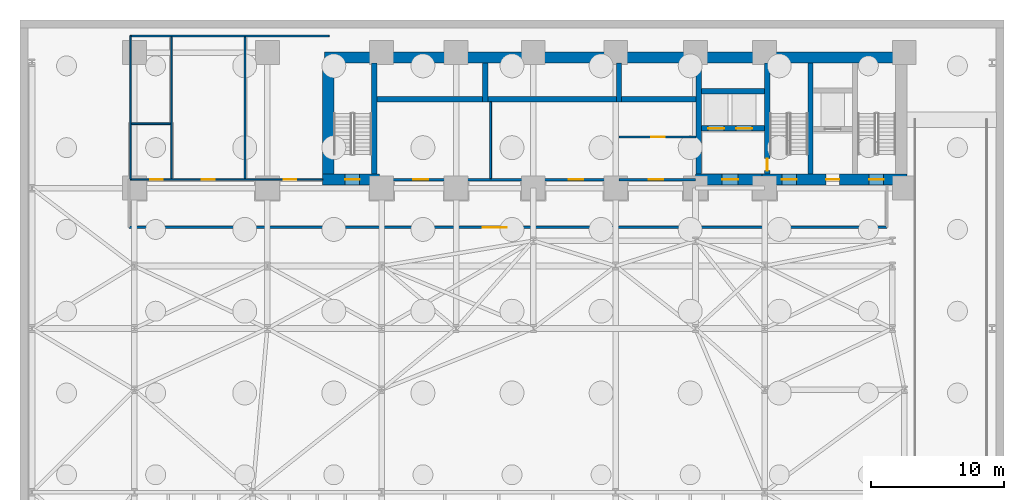
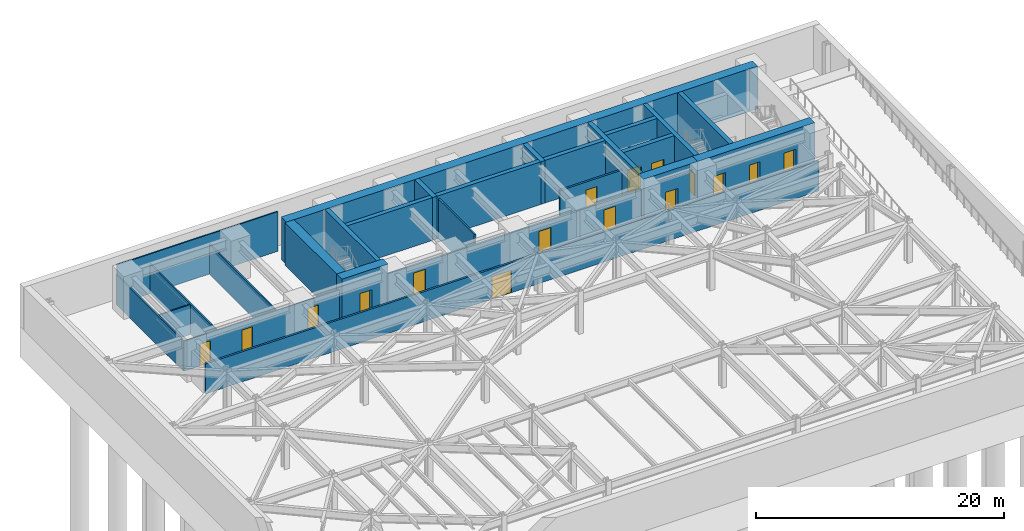
# One storey, part 5 of 12: 27 walls, 16 doors, 16 openings.
"""IFC4 building model written with IfcOpenShell, lengths in metres."""

from ifc_helpers import new_model, si_unit, direction, frame, frame_2d, origin, place, context, subcontext, project, spatial, rectangle, extrude, material, layer, layer_set, type_object, element, fill, save


model = new_model("IFC4")

# Units and contexts
model_context = context("Model", 3, precision=1e-05, world=origin(), true_north=direction((0.0, 1.0)))
body_context = subcontext(model_context, "Body", "Model", "MODEL_VIEW")
ifc_project = project(units=[si_unit("LENGTHUNIT", "METRE"), si_unit("AREAUNIT", "SQUARE_METRE"), si_unit("VOLUMEUNIT", "CUBIC_METRE"), si_unit("PLANEANGLEUNIT", "RADIAN"), si_unit("MASSUNIT", "GRAM", prefix="KILO")], contexts=[model_context])

# Site, building, storey
site_placement = place(None, origin())
site = spatial("IfcSite", under=ifc_project, at=site_placement, CompositionType="ELEMENT")
building_placement = place(site_placement, origin())
building = spatial("IfcBuilding", under=site, at=building_placement, Name="Kravanh Interchange Tower", CompositionType="ELEMENT")
storey_placement = place(building_placement, frame((0.0, 0.0, -8.39990234375)))
storey = spatial("IfcBuildingStorey", under=building, at=storey_placement, Name="B2", CompositionType="ELEMENT", Elevation=-8.39990234375)

# Wall, openings, doors
ifc_material_1 = material(Name="Double Acoustic Gypsum Board and Mineral Wool")
ifc_layer_1 = layer(ifc_material_1, 0.1201171875)
ifc_layer_set_1 = layer_set([ifc_layer_1], Name="Acoustic Office Drywall Partition 120mm")
wall_type_1 = type_object("IfcWallType", Name="Acoustic Office Drywall Partition 120mm", PredefinedType="PARTITIONING", material=ifc_layer_set_1)
wall_1_placement = place(storey_placement, frame((8.300048828125, 38.0, 0.0), z_axis=(0.0, 0.0, 1.0), x_axis=(1.0, 0.0, 0.0)))
wall_1 = element("IfcWall", 1, at=wall_1_placement, inside=storey, type_object=wall_type_1, Name="B2 Restroom Corridor Wall 8", PredefinedType="PARTITIONING", context=body_context, shape_type="SweptSolid", body=[
    extrude(rectangle(XDim=14.449951171875, YDim=0.1201171875, at=frame_2d((7.22509765625, 0.0))), origin(), (0.0, 0.0, 1.0), 2.951904296875),
])
opening_1_placement = place(wall_1_placement, frame((1.481689453125, 0.0, 0.0)))
opening_1 = element("IfcOpeningElement", 2, at=opening_1_placement, cuts=wall_1, Name="Opening D-95", PredefinedType="OPENING", context=body_context, shape_type="SweptSolid", body=[
    extrude(rectangle(XDim=0.949951171875, YDim=2.14990234375, at=frame_2d((0.47509765625, 1.074951171875))), frame((0.0, 0.070068359375, 0.0), z_axis=(0.0, -1.0, 0.0), x_axis=(1.0, 0.0, 0.0)), (0.0, 0.0, 1.0), 0.14013671875),
])
opening_2_placement = place(wall_1_placement, frame((5.385009765625, 0.0, 0.0)))
opening_2 = element("IfcOpeningElement", 3, at=opening_2_placement, cuts=wall_1, Name="Opening D-95", PredefinedType="OPENING", context=body_context, shape_type="SweptSolid", body=[
    extrude(rectangle(XDim=0.949951171875, YDim=2.14990234375, at=frame_2d((0.47509765625, 1.074951171875))), frame((0.0, 0.070068359375, 0.0), z_axis=(0.0, -1.0, 0.0), x_axis=(1.0, 0.0, 0.0)), (0.0, 0.0, 1.0), 0.14013671875),
])
opening_3_placement = place(wall_1_placement, frame((11.52001953125, 0.0, 0.0)))
opening_3 = element("IfcOpeningElement", 4, at=opening_3_placement, cuts=wall_1, Name="Opening D-95", PredefinedType="OPENING", context=body_context, shape_type="SweptSolid", body=[
    extrude(rectangle(XDim=0.949951171875, YDim=2.14990234375, at=frame_2d((0.47509765625, 1.074951171875))), frame((0.0, 0.070068359375, 0.0), z_axis=(0.0, -1.0, 0.0), x_axis=(1.0, 0.0, 0.0)), (0.0, 0.0, 1.0), 0.14013671875),
])
ifc_material_2 = material(Name="Laminate Solid-Core Timber", Category="wood")
door_type_1 = type_object("IfcDoorType", Name="Accessible Restroom Door 950x2150", OperationType="NOTDEFINED", PredefinedType="DOOR", material=ifc_material_2)
door_1_placement = place(opening_1_placement, origin())
door_1 = element("IfcDoor", 5, at=door_1_placement, inside=storey, type_object=door_type_1, Name="B2 Accessible WC Door", OperationType="SINGLE_SWING_RIGHT", OverallHeight=2.14990234375, OverallWidth=0.949951171875, PredefinedType="DOOR", context=body_context, shape_type="SweptSolid", body=[
    extrude(rectangle(XDim=0.949951171875, YDim=2.14990234375, at=frame_2d((0.47509765625, 1.074951171875))), frame((0.0, 0.02490234375, 0.0), z_axis=(0.0, -1.0, 0.0), x_axis=(1.0, 0.0, 0.0)), (0.0, 0.0, 1.0), 0.050048828125),
])
fill(opening_1, door_1)
door_2_placement = place(opening_2_placement, origin())
door_2 = element("IfcDoor", 6, at=door_2_placement, inside=storey, type_object=door_type_1, Name="B2 Female WC Door", OperationType="SINGLE_SWING_LEFT", OverallHeight=2.14990234375, OverallWidth=0.949951171875, PredefinedType="DOOR", context=body_context, shape_type="SweptSolid", body=[
    extrude(rectangle(XDim=0.949951171875, YDim=2.14990234375, at=frame_2d((0.47509765625, 1.074951171875))), frame((0.0, 0.02490234375, 0.0), z_axis=(0.0, -1.0, 0.0), x_axis=(1.0, 0.0, 0.0)), (0.0, 0.0, 1.0), 0.050048828125),
])
fill(opening_2, door_2)
door_3_placement = place(opening_3_placement, origin())
door_3 = element("IfcDoor", 7, at=door_3_placement, inside=storey, type_object=door_type_1, Name="B2 Male WC Door", OperationType="SINGLE_SWING_RIGHT", OverallHeight=2.14990234375, OverallWidth=0.949951171875, PredefinedType="DOOR", context=body_context, shape_type="SweptSolid", body=[
    extrude(rectangle(XDim=0.949951171875, YDim=2.14990234375, at=frame_2d((0.47509765625, 1.074951171875))), frame((0.0, 0.02490234375, 0.0), z_axis=(0.0, -1.0, 0.0), x_axis=(1.0, 0.0, 0.0)), (0.0, 0.0, 1.0), 0.050048828125),
])
fill(opening_3, door_3)

# Walls
wall_2_placement = place(storey_placement, frame((8.300048828125, 38.0, 0.0), z_axis=(0.0, 0.0, 1.0), x_axis=(0.0, 1.0, 0.0)))
element("IfcWall", 8, at=wall_2_placement, inside=storey, type_object=wall_type_1, Name="B2 Restroom West Enclosure 9", PredefinedType="PARTITIONING", context=body_context, shape_type="SweptSolid", body=[
    extrude(rectangle(XDim=10.800048828125, YDim=0.1201171875, at=frame_2d((5.39990234375, 0.0))), origin(), (0.0, 0.0, 1.0), 2.951904296875),
])
wall_3_placement = place(storey_placement, frame((8.300048828125, 48.800048828125, 0.0), z_axis=(0.0, 0.0, 1.0), x_axis=(1.0, 0.0, 0.0)))
element("IfcWall", 9, at=wall_3_placement, inside=storey, type_object=wall_type_1, Name="B2 Restroom North Enclosure 10", PredefinedType="PARTITIONING", context=body_context, shape_type="SweptSolid", body=[
    extrude(rectangle(XDim=14.949951171875, YDim=0.1201171875, at=frame_2d((7.47509765625, 0.0))), origin(), (0.0, 0.0, 1.0), 3.89990234375),
])
for number, where, z_axis, x_axis, name in (
    (10, (11.39990234375, 38.068115234375, 0.0), (0.0, 0.0, 1.0), (0.0, 1.0, 0.0), "B2 Interior Partition 11"),
    (11, (16.919921875, 38.068115234375, 0.0), (0.0, 0.0, 1.0), (0.0, 1.0, 0.0), "B2 Interior Partition 12"),
):
    element("IfcWall", number, at=place(storey_placement, frame(where, z_axis=z_axis, x_axis=x_axis)), inside=storey, type_object=wall_type_1, Name=name, PredefinedType="PARTITIONING", context=body_context, shape_type="SweptSolid", body=[
        extrude(rectangle(XDim=10.663818359375, YDim=0.1201171875, at=frame_2d((5.33203125, 0.0))), origin(), (0.0, 0.0, 1.0), 2.951904296875),
    ])
wall_4_placement = place(storey_placement, frame((8.367919921875, 42.199951171875, 0.0), z_axis=(0.0, 0.0, 1.0), x_axis=(1.0, 0.0, 0.0)))
element("IfcWall", 12, at=wall_4_placement, inside=storey, type_object=wall_type_1, Name="B2 Interior Partition 13", PredefinedType="PARTITIONING", context=body_context, shape_type="SweptSolid", body=[
    extrude(rectangle(XDim=2.964111328125, YDim=0.1201171875, at=frame_2d((1.48193359375, 0.0))), origin(), (0.0, 0.0, 1.0), 2.951904296875),
])
ifc_material_3 = material(Name="Concrete C80/95", Category="concrete")
ifc_layer_2 = layer(ifc_material_3, 0.39990234375)
ifc_layer_set_2 = layer_set([ifc_layer_2], Name="Core Shear Wall Concrete C80/95 400mm")
wall_type_2 = type_object("IfcWallType", Name="Core Shear Wall Concrete C80/95 400mm", PredefinedType="SHEAR", material=ifc_layer_set_2)
wall_5_placement = place(storey_placement, frame((59.449951171875, 38.425048828125, 0.0), z_axis=(0.0, 0.0, 1.0), x_axis=(0.0, 1.0, 0.0)))
element("IfcWall", 13, at=wall_5_placement, inside=storey, type_object=wall_type_2, Name="B2 Stair ST2 East Shear Wall", PredefinedType="SHEAR", context=body_context, shape_type="SweptSolid", body=[
    extrude(rectangle(XDim=8.324951171875, YDim=0.39990234375, at=frame_2d((4.16259765625, 0.0))), origin(), (0.0, 0.0, 1.0), 4.199951171875),
])

# Wall, opening, door
wall_6_placement = place(storey_placement, frame((56.199951171875, 38.425048828125, 0.0), z_axis=(0.0, 0.0, 1.0), x_axis=(0.0, 1.0, 0.0)))
wall_6 = element("IfcWall", 14, at=wall_6_placement, inside=storey, type_object=wall_type_2, Name="B2 Stair ST2 West Shear Wall", PredefinedType="SHEAR", context=body_context, shape_type="SweptSolid", body=[
    extrude(rectangle(XDim=8.324951171875, YDim=0.39990234375, at=frame_2d((4.16259765625, 0.0))), origin(), (0.0, 0.0, 1.0), 4.199951171875),
])
opening_4_placement = place(wall_6_placement, frame((0.2548828125, 0.0, 0.0)))
opening_4 = element("IfcOpeningElement", 15, at=opening_4_placement, cuts=wall_6, Name="Opening D-STAIR-90", PredefinedType="OPENING", context=body_context, shape_type="SweptSolid", body=[
    extrude(rectangle(XDim=0.89990234375, YDim=2.14990234375, at=frame_2d((0.449951171875, 1.074951171875))), frame((0.0, 0.2099609375, 0.0), z_axis=(0.0, -1.0, 0.0), x_axis=(1.0, 0.0, 0.0)), (0.0, 0.0, 1.0), 0.419921875),
])
ifc_material_4 = material(Name="Structural Steel S355", Category="steel")
door_type_2 = type_object("IfcDoorType", Name="Fire-Rated Stair Lobby Door 900x2150", OperationType="NOTDEFINED", PredefinedType="DOOR", material=ifc_material_4)
door_4_placement = place(opening_4_placement, origin())
door_4 = element("IfcDoor", 16, at=door_4_placement, inside=storey, type_object=door_type_2, Name="B2 Firefighting Lobby to Stair ST2 Door", OperationType="SINGLE_SWING_LEFT", OverallHeight=2.14990234375, OverallWidth=0.89990234375, PredefinedType="DOOR", context=body_context, shape_type="SweptSolid", body=[
    extrude(rectangle(XDim=0.89990234375, YDim=2.14990234375, at=frame_2d((0.449951171875, 1.074951171875))), frame((0.0, 0.02490234375, 0.0), z_axis=(0.0, -1.0, 0.0), x_axis=(1.0, 0.0, 0.0)), (0.0, 0.0, 1.0), 0.050048828125),
])
fill(opening_4, door_4)

# Wall, openings, doors
wall_7_placement = place(storey_placement, frame((51.25, 41.85009765625, 0.0), z_axis=(0.0, 0.0, 1.0), x_axis=(1.0, 0.0, 0.0)))
wall_7 = element("IfcWall", 17, at=wall_7_placement, inside=storey, type_object=wall_type_2, Name="B2 Fire Lift Shaft South Wall", PredefinedType="SHEAR", context=body_context, shape_type="SweptSolid", body=[
    extrude(rectangle(XDim=4.75, YDim=0.39990234375, at=frame_2d((2.375, 0.0))), origin(), (0.0, 0.0, 1.0), 4.199951171875),
])
opening_5_placement = place(wall_7_placement, frame((0.5, 0.0, 0.0)))
opening_5 = element("IfcOpeningElement", 18, at=opening_5_placement, cuts=wall_7, Name="Opening LD02", PredefinedType="OPENING", context=body_context, shape_type="SweptSolid", body=[
    extrude(rectangle(XDim=1.199951171875, YDim=2.199951171875, at=frame_2d((0.60009765625, 1.10009765625))), frame((0.0, 0.2099609375, 0.0), z_axis=(0.0, -1.0, 0.0), x_axis=(1.0, 0.0, 0.0)), (0.0, 0.0, 1.0), 0.419921875),
])
opening_6_placement = place(wall_7_placement, frame((2.60009765625, 0.0, 0.0)))
opening_6 = element("IfcOpeningElement", 19, at=opening_6_placement, cuts=wall_7, Name="Opening LD02", PredefinedType="OPENING", context=body_context, shape_type="SweptSolid", body=[
    extrude(rectangle(XDim=1.199951171875, YDim=2.199951171875, at=frame_2d((0.60009765625, 1.10009765625))), frame((0.0, 0.2099609375, 0.0), z_axis=(0.0, -1.0, 0.0), x_axis=(1.0, 0.0, 0.0)), (0.0, 0.0, 1.0), 0.419921875),
])
ifc_material_5 = material(Name="Stainless Steel 316", Category="steel")
door_type_3 = type_object("IfcDoorType", Name="Fire and Service Lift Sliding Landing Door 1200x2200", OperationType="DOUBLE_DOOR_SLIDING", PredefinedType="DOOR", material=ifc_material_5)
door_5_placement = place(opening_5_placement, origin())
door_5 = element("IfcDoor", 20, at=door_5_placement, inside=storey, type_object=door_type_3, Name="B2 Lift FSAE-01 Landing Door", OperationType="DOUBLE_DOOR_SLIDING", OverallHeight=2.199951171875, OverallWidth=1.199951171875, PredefinedType="DOOR", context=body_context, shape_type="SweptSolid", body=[
    extrude(rectangle(XDim=1.199951171875, YDim=2.199951171875, at=frame_2d((0.60009765625, 1.10009765625))), frame((0.0, 0.02490234375, 0.0), z_axis=(0.0, -1.0, 0.0), x_axis=(1.0, 0.0, 0.0)), (0.0, 0.0, 1.0), 0.050048828125),
])
fill(opening_5, door_5)
door_6_placement = place(opening_6_placement, origin())
door_6 = element("IfcDoor", 21, at=door_6_placement, inside=storey, type_object=door_type_3, Name="B2 Lift FSAE-02 Landing Door", OperationType="DOUBLE_DOOR_SLIDING", OverallHeight=2.199951171875, OverallWidth=1.199951171875, PredefinedType="DOOR", context=body_context, shape_type="SweptSolid", body=[
    extrude(rectangle(XDim=1.199951171875, YDim=2.199951171875, at=frame_2d((0.60009765625, 1.10009765625))), frame((0.0, 0.02490234375, 0.0), z_axis=(0.0, -1.0, 0.0), x_axis=(1.0, 0.0, 0.0)), (0.0, 0.0, 1.0), 0.050048828125),
])
fill(opening_6, door_6)

# Walls
wall_8_placement = place(storey_placement, frame((51.25, 44.64990234375, 0.0), z_axis=(0.0, 0.0, 1.0), x_axis=(1.0, 0.0, 0.0)))
element("IfcWall", 22, at=wall_8_placement, inside=storey, type_object=wall_type_2, Name="B2 Fire Lift Shaft North Wall", PredefinedType="SHEAR", context=body_context, shape_type="SweptSolid", body=[
    extrude(rectangle(XDim=4.75, YDim=0.39990234375, at=frame_2d((2.375, 0.0))), origin(), (0.0, 0.0, 1.0), 4.199951171875),
])
wall_9_placement = place(storey_placement, frame((51.050048828125, 38.425048828125, 0.0), z_axis=(0.0, 0.0, 1.0), x_axis=(0.0, 1.0, 0.0)))
element("IfcWall", 23, at=wall_9_placement, inside=storey, type_object=wall_type_2, Name="B2 Firefighting Lobby West Wall", PredefinedType="SHEAR", context=body_context, shape_type="SweptSolid", body=[
    extrude(rectangle(XDim=8.324951171875, YDim=0.39990234375, at=frame_2d((4.16259765625, 0.0))), origin(), (0.0, 0.0, 1.0), 4.199951171875),
])
wall_10_placement = place(storey_placement, frame((45.25, 44.050048828125, 0.0), z_axis=(0.0, 0.0, 1.0), x_axis=(1.0, 0.0, 0.0)))
element("IfcWall", 24, at=wall_10_placement, inside=storey, type_object=wall_type_2, Name="B2 High-Rise Lift Shaft South Wall", PredefinedType="SHEAR", context=body_context, shape_type="SweptSolid", body=[
    extrude(rectangle(XDim=5.60009765625, YDim=0.39990234375, at=frame_2d((2.800048828125, 0.0))), origin(), (0.0, 0.0, 1.0), 4.199951171875),
])
wall_11_placement = place(storey_placement, frame((45.050048828125, 43.85009765625, 0.0), z_axis=(0.0, 0.0, 1.0), x_axis=(0.0, 1.0, 0.0)))
element("IfcWall", 25, at=wall_11_placement, inside=storey, type_object=wall_type_2, Name="B2 High-Rise Lift Shaft West Wall", PredefinedType="SHEAR", context=body_context, shape_type="SweptSolid", body=[
    extrude(rectangle(XDim=2.89990234375, YDim=0.39990234375, at=frame_2d((1.449951171875, 0.0))), origin(), (0.0, 0.0, 1.0), 4.199951171875),
])
wall_12_placement = place(storey_placement, frame((35.199951171875, 44.050048828125, 0.0), z_axis=(0.0, 0.0, 1.0), x_axis=(1.0, 0.0, 0.0)))
element("IfcWall", 26, at=wall_12_placement, inside=storey, type_object=wall_type_2, Name="B2 Mid-Rise Lift Shaft South Wall", PredefinedType="SHEAR", context=body_context, shape_type="SweptSolid", body=[
    extrude(rectangle(XDim=9.650146484375, YDim=0.39990234375, at=frame_2d((4.8251953125, 0.0))), origin(), (0.0, 0.0, 1.0), 4.199951171875),
])
wall_13_placement = place(storey_placement, frame((35.0, 43.85009765625, 0.0), z_axis=(0.0, 0.0, 1.0), x_axis=(0.0, 1.0, 0.0)))
element("IfcWall", 27, at=wall_13_placement, inside=storey, type_object=wall_type_2, Name="B2 Mid-Rise Lift Shaft West Wall", PredefinedType="SHEAR", context=body_context, shape_type="SweptSolid", body=[
    extrude(rectangle(XDim=2.89990234375, YDim=0.39990234375, at=frame_2d((1.449951171875, 0.0))), origin(), (0.0, 0.0, 1.0), 4.199951171875),
])
wall_14_placement = place(storey_placement, frame((26.85009765625, 44.050048828125, 0.0), z_axis=(0.0, 0.0, 1.0), x_axis=(1.0, 0.0, 0.0)))
element("IfcWall", 28, at=wall_14_placement, inside=storey, type_object=wall_type_2, Name="B2 Low-Rise Lift Shaft South Wall", PredefinedType="SHEAR", context=body_context, shape_type="SweptSolid", body=[
    extrude(rectangle(XDim=7.949951171875, YDim=0.39990234375, at=frame_2d((3.97509765625, 0.0))), origin(), (0.0, 0.0, 1.0), 4.199951171875),
])
wall_15_placement = place(storey_placement, frame((26.64990234375, 38.425048828125, 0.0), z_axis=(0.0, 0.0, 1.0), x_axis=(0.0, 1.0, 0.0)))
element("IfcWall", 29, at=wall_15_placement, inside=storey, type_object=wall_type_2, Name="B2 Stair ST3 East Shear Wall", PredefinedType="SHEAR", context=body_context, shape_type="SweptSolid", body=[
    extrude(rectangle(XDim=8.324951171875, YDim=0.39990234375, at=frame_2d((4.16259765625, 0.0))), origin(), (0.0, 0.0, 1.0), 4.199951171875),
])
ifc_material_6 = material(Name="Concrete C80/95", Category="concrete")
ifc_layer_3 = layer(ifc_material_6, 0.85009765625)
ifc_layer_set_3 = layer_set([ifc_layer_3], Name="Core Shear Wall Concrete C80/95 850mm")
wall_type_3 = type_object("IfcWallType", Name="Core Shear Wall Concrete C80/95 850mm", PredefinedType="SHEAR", material=ifc_layer_set_3)
wall_16_placement = place(storey_placement, frame((22.89990234375, 47.175048828125, 0.0), z_axis=(0.0, 0.0, 1.0), x_axis=(1.0, 0.0, 0.0)))
element("IfcWall", 30, at=wall_16_placement, inside=storey, type_object=wall_type_3, Name="B2 North Core Shear Wall", PredefinedType="SHEAR", context=body_context, shape_type="SweptSolid", body=[
    extrude(rectangle(XDim=43.800048828125, YDim=0.85009765625, at=frame_2d((21.89990234375, 0.0))), origin(), (0.0, 0.0, 1.0), 4.199951171875),
])

# Wall, openings, doors
wall_17_placement = place(storey_placement, frame((55.800048828125, 38.0, 0.0), z_axis=(0.0, 0.0, 1.0), x_axis=(1.0, 0.0, 0.0)))
wall_17 = element("IfcWall", 31, at=wall_17_placement, inside=storey, type_object=wall_type_3, Name="B2 East Core South Shear Wall", PredefinedType="SHEAR", context=body_context, shape_type="SweptSolid", body=[
    extrude(rectangle(XDim=10.89990234375, YDim=0.85009765625, at=frame_2d((5.449951171875, 0.0))), origin(), (0.0, 0.0, 1.0), 4.199951171875),
])
opening_7_placement = place(wall_17_placement, frame((1.5, 0.0, 0.0)))
opening_7 = element("IfcOpeningElement", 32, at=opening_7_placement, cuts=wall_17, Name="Opening D-STAIR-110", PredefinedType="OPENING", context=body_context, shape_type="SweptSolid", body=[
    extrude(rectangle(XDim=1.10009765625, YDim=2.199951171875, at=frame_2d((0.550048828125, 1.10009765625))), frame((0.0, 0.43505859375, 0.0), z_axis=(0.0, -1.0, 0.0), x_axis=(1.0, 0.0, 0.0)), (0.0, 0.0, 1.0), 0.8701171875),
])
opening_8_placement = place(wall_17_placement, frame((4.820068359375, 0.0, 0.0)))
opening_8 = element("IfcOpeningElement", 33, at=opening_8_placement, cuts=wall_17, Name="Opening D-HOTEL-100", PredefinedType="OPENING", context=body_context, shape_type="SweptSolid", body=[
    extrude(rectangle(XDim=1.0, YDim=2.14990234375, at=frame_2d((0.5, 1.074951171875))), frame((0.0, 0.43505859375, 0.0), z_axis=(0.0, -1.0, 0.0), x_axis=(1.0, 0.0, 0.0)), (0.0, 0.0, 1.0), 0.8701171875),
])
opening_9_placement = place(wall_17_placement, frame((8.050048828125, 0.0, 0.0)))
opening_9 = element("IfcOpeningElement", 34, at=opening_9_placement, cuts=wall_17, Name="Opening D-STAIR-110", PredefinedType="OPENING", context=body_context, shape_type="SweptSolid", body=[
    extrude(rectangle(XDim=1.10009765625, YDim=2.199951171875, at=frame_2d((0.550048828125, 1.10009765625))), frame((0.0, 0.43505859375, 0.0), z_axis=(0.0, -1.0, 0.0), x_axis=(1.0, 0.0, 0.0)), (0.0, 0.0, 1.0), 0.8701171875),
])
ifc_material_7 = material(Name="Structural Steel S355", Category="steel")
door_type_4 = type_object("IfcDoorType", Name="Fire-Rated Exit Stair Door 1100x2200", OperationType="NOTDEFINED", PredefinedType="DOOR", material=ifc_material_7)
door_7_placement = place(opening_7_placement, origin())
door_7 = element("IfcDoor", 35, at=door_7_placement, inside=storey, type_object=door_type_4, Name="B2 Exit Stair ST2 Door", OperationType="SINGLE_SWING_RIGHT", OverallHeight=2.199951171875, OverallWidth=1.10009765625, PredefinedType="DOOR", context=body_context, shape_type="SweptSolid", body=[
    extrude(rectangle(XDim=1.10009765625, YDim=2.199951171875, at=frame_2d((0.550048828125, 1.10009765625))), frame((0.0, 0.02490234375, 0.0), z_axis=(0.0, -1.0, 0.0), x_axis=(1.0, 0.0, 0.0)), (0.0, 0.0, 1.0), 0.050048828125),
])
fill(opening_7, door_7)
door_8_placement = place(opening_9_placement, origin())
door_8 = element("IfcDoor", 36, at=door_8_placement, inside=storey, type_object=door_type_4, Name="B2 Exit Stair ST1 Door", OperationType="SINGLE_SWING_RIGHT", OverallHeight=2.199951171875, OverallWidth=1.10009765625, PredefinedType="DOOR", context=body_context, shape_type="SweptSolid", body=[
    extrude(rectangle(XDim=1.10009765625, YDim=2.199951171875, at=frame_2d((0.550048828125, 1.10009765625))), frame((0.0, 0.02490234375, 0.0), z_axis=(0.0, -1.0, 0.0), x_axis=(1.0, 0.0, 0.0)), (0.0, 0.0, 1.0), 0.050048828125),
])
fill(opening_9, door_8)
ifc_material_8 = material(Name="Fire-Rated Solid Timber Leaf", Category="wood")
door_type_5 = type_object("IfcDoorType", Name="Fire-Rated Suite Entrance Door 1000x2150", OperationType="NOTDEFINED", PredefinedType="DOOR", material=ifc_material_8)
door_9_placement = place(opening_8_placement, origin())
door_9 = element("IfcDoor", 37, at=door_9_placement, inside=storey, type_object=door_type_5, Name="B2 Service Lift Lobby Door", OperationType="SINGLE_SWING_RIGHT", OverallHeight=2.14990234375, OverallWidth=1.0, PredefinedType="DOOR", context=body_context, shape_type="SweptSolid", body=[
    extrude(rectangle(XDim=1.0, YDim=2.14990234375, at=frame_2d((0.5, 1.074951171875))), frame((0.0, 0.02490234375, 0.0), z_axis=(0.0, -1.0, 0.0), x_axis=(1.0, 0.0, 0.0)), (0.0, 0.0, 1.0), 0.050048828125),
])
fill(opening_8, door_9)

# Wall, opening, door
wall_18_placement = place(storey_placement, frame((50.800048828125, 38.0, 0.0), z_axis=(0.0, 0.0, 1.0), x_axis=(1.0, 0.0, 0.0)))
wall_18 = element("IfcWall", 38, at=wall_18_placement, inside=storey, type_object=wall_type_3, Name="B2 Firefighting Lobby South Shear Wall", PredefinedType="SHEAR", context=body_context, shape_type="SweptSolid", body=[
    extrude(rectangle(XDim=5.0, YDim=0.85009765625, at=frame_2d((2.5, 0.0))), origin(), (0.0, 0.0, 1.0), 4.199951171875),
])
opening_10_placement = place(wall_18_placement, frame((2.0, 0.0, 0.0)))
opening_10 = element("IfcOpeningElement", 39, at=opening_10_placement, cuts=wall_18, Name="Opening D-FSAE-120", PredefinedType="OPENING", context=body_context, shape_type="SweptSolid", body=[
    extrude(rectangle(XDim=1.199951171875, YDim=2.199951171875, at=frame_2d((0.60009765625, 1.10009765625))), frame((0.0, 0.43505859375, 0.0), z_axis=(0.0, -1.0, 0.0), x_axis=(1.0, 0.0, 0.0)), (0.0, 0.0, 1.0), 0.8701171875),
])
ifc_material_9 = material(Name="Structural Steel S355", Category="steel")
door_type_6 = type_object("IfcDoorType", Name="Fire-Rated Refuge and FSAE Door 1200x2200", OperationType="NOTDEFINED", PredefinedType="DOOR", material=ifc_material_9)
door_10_placement = place(opening_10_placement, origin())
door_10 = element("IfcDoor", 40, at=door_10_placement, inside=storey, type_object=door_type_6, Name="B2 Firefighting Lobby Corridor Door", OperationType="SINGLE_SWING_RIGHT", OverallHeight=2.199951171875, OverallWidth=1.199951171875, PredefinedType="DOOR", context=body_context, shape_type="SweptSolid", body=[
    extrude(rectangle(XDim=1.199951171875, YDim=2.199951171875, at=frame_2d((0.60009765625, 1.10009765625))), frame((0.0, 0.02490234375, 0.0), z_axis=(0.0, -1.0, 0.0), x_axis=(1.0, 0.0, 0.0)), (0.0, 0.0, 1.0), 0.050048828125),
])
fill(opening_10, door_10)

wall_19_placement = place(storey_placement, frame((22.75, 38.0, 0.0), z_axis=(0.0, 0.0, 1.0), x_axis=(1.0, 0.0, 0.0)))
wall_19 = element("IfcWall", 41, at=wall_19_placement, inside=storey, type_object=wall_type_3, Name="B2 Stair ST3 South Shear Wall", PredefinedType="SHEAR", context=body_context, shape_type="SweptSolid", body=[
    extrude(rectangle(XDim=4.300048828125, YDim=0.85009765625, at=frame_2d((2.14990234375, 0.0))), origin(), (0.0, 0.0, 1.0), 4.199951171875),
])
opening_11_placement = place(wall_19_placement, frame((1.699951171875, 0.0, 0.0)))
opening_11 = element("IfcOpeningElement", 42, at=opening_11_placement, cuts=wall_19, Name="Opening D-STAIR-110", PredefinedType="OPENING", context=body_context, shape_type="SweptSolid", body=[
    extrude(rectangle(XDim=1.10009765625, YDim=2.199951171875, at=frame_2d((0.550048828125, 1.10009765625))), frame((0.0, 0.43505859375, 0.0), z_axis=(0.0, -1.0, 0.0), x_axis=(1.0, 0.0, 0.0)), (0.0, 0.0, 1.0), 0.8701171875),
])
door_11_placement = place(opening_11_placement, origin())
door_11 = element("IfcDoor", 43, at=door_11_placement, inside=storey, type_object=door_type_4, Name="B2 Exit Stair ST3 Door", OperationType="SINGLE_SWING_RIGHT", OverallHeight=2.199951171875, OverallWidth=1.10009765625, PredefinedType="DOOR", context=body_context, shape_type="SweptSolid", body=[
    extrude(rectangle(XDim=1.10009765625, YDim=2.199951171875, at=frame_2d((0.550048828125, 1.10009765625))), frame((0.0, 0.02490234375, 0.0), z_axis=(0.0, -1.0, 0.0), x_axis=(1.0, 0.0, 0.0)), (0.0, 0.0, 1.0), 0.050048828125),
])
fill(opening_11, door_11)

# Wall
wall_20_placement = place(storey_placement, frame((23.175048828125, 38.425048828125, 0.0), z_axis=(0.0, 0.0, 1.0), x_axis=(0.0, 1.0, 0.0)))
element("IfcWall", 44, at=wall_20_placement, inside=storey, type_object=wall_type_3, Name="B2 Stair ST3 West Shear Wall", PredefinedType="SHEAR", context=body_context, shape_type="SweptSolid", body=[
    extrude(rectangle(XDim=8.324951171875, YDim=0.85009765625, at=frame_2d((4.16259765625, 0.0))), origin(), (0.0, 0.0, 1.0), 4.199951171875),
])

# Wall, opening, door
ifc_material_10 = material(Name="Autoclaved Aerated Concrete C30/37 Blockwork", Category="masonry")
ifc_layer_4 = layer(ifc_material_10, 0.179931640625)
ifc_layer_set_4 = layer_set([ifc_layer_4], Name="Fire-Rated Lobby and Corridor Wall Concrete C30/37 180mm")
wall_type_4 = type_object("IfcWallType", Name="Fire-Rated Lobby and Corridor Wall Concrete C30/37 180mm", PredefinedType="STANDARD", material=ifc_layer_set_4)
wall_21_placement = place(storey_placement, frame((45.050048828125, 38.0, 0.0), z_axis=(0.0, 0.0, 1.0), x_axis=(1.0, 0.0, 0.0)))
wall_21 = element("IfcWall", 45, at=wall_21_placement, inside=storey, type_object=wall_type_4, Name="B2 Core South Enclosure 1", PredefinedType="STANDARD", context=body_context, shape_type="SweptSolid", body=[
    extrude(rectangle(XDim=5.75, YDim=0.179931640625, at=frame_2d((2.875, 0.0))), origin(), (0.0, 0.0, 1.0), 2.951904296875),
])
opening_12_placement = place(wall_21_placement, frame((2.240478515625, 0.0, 0.0)))
opening_12 = element("IfcOpeningElement", 46, at=opening_12_placement, cuts=wall_21, Name="Opening D-SHAFT-110", PredefinedType="OPENING", context=body_context, shape_type="SweptSolid", body=[
    extrude(rectangle(XDim=1.10009765625, YDim=2.199951171875, at=frame_2d((0.550048828125, 1.10009765625))), frame((0.0, 0.10009765625, 0.0), z_axis=(0.0, -1.0, 0.0), x_axis=(1.0, 0.0, 0.0)), (0.0, 0.0, 1.0), 0.199951171875),
])
ifc_material_11 = material(Name="Fire-Rated Composite Timber Leaf", Category="wood")
door_type_7 = type_object("IfcDoorType", Name="Fire-Rated Core Support Door 1100x2200", OperationType="NOTDEFINED", PredefinedType="DOOR", material=ifc_material_11)
door_12_placement = place(opening_12_placement, origin())
door_12 = element("IfcDoor", 47, at=door_12_placement, inside=storey, type_object=door_type_7, Name="B2 Core Telecom Room Door", OperationType="SINGLE_SWING_LEFT", OverallHeight=2.199951171875, OverallWidth=1.10009765625, PredefinedType="DOOR", context=body_context, shape_type="SweptSolid", body=[
    extrude(rectangle(XDim=1.10009765625, YDim=2.199951171875, at=frame_2d((0.550048828125, 1.10009765625))), frame((0.0, 0.02490234375, 0.0), z_axis=(0.0, -1.0, 0.0), x_axis=(1.0, 0.0, 0.0)), (0.0, 0.0, 1.0), 0.050048828125),
])
fill(opening_12, door_12)

wall_22_placement = place(storey_placement, frame((45.050048828125, 41.199951171875, 0.0), z_axis=(0.0, 0.0, 1.0), x_axis=(1.0, 0.0, 0.0)))
wall_22 = element("IfcWall", 48, at=wall_22_placement, inside=storey, type_object=wall_type_4, Name="B2 Interior Partition 2", PredefinedType="STANDARD", context=body_context, shape_type="SweptSolid", body=[
    extrude(rectangle(XDim=5.7919921875, YDim=0.179931640625, at=frame_2d((2.89599609375, 0.0))), origin(), (0.0, 0.0, 1.0), 2.951904296875),
])
opening_13_placement = place(wall_22_placement, frame((2.425048828125, 0.0, 0.0)))
opening_13 = element("IfcOpeningElement", 49, at=opening_13_placement, cuts=wall_22, Name="Opening D-HOTEL-100", PredefinedType="OPENING", context=body_context, shape_type="SweptSolid", body=[
    extrude(rectangle(XDim=1.0, YDim=2.14990234375, at=frame_2d((0.5, 1.074951171875))), frame((0.0, 0.10009765625, 0.0), z_axis=(0.0, -1.0, 0.0), x_axis=(1.0, 0.0, 0.0)), (0.0, 0.0, 1.0), 0.199951171875),
])
door_13_placement = place(opening_13_placement, origin())
door_13 = element("IfcDoor", 50, at=door_13_placement, inside=storey, type_object=door_type_5, Name="B2 Core Telecom Inner Door", OperationType="SINGLE_SWING_RIGHT", OverallHeight=2.14990234375, OverallWidth=1.0, PredefinedType="DOOR", context=body_context, shape_type="SweptSolid", body=[
    extrude(rectangle(XDim=1.0, YDim=2.14990234375, at=frame_2d((0.5, 1.074951171875))), frame((0.0, 0.02490234375, 0.0), z_axis=(0.0, -1.0, 0.0), x_axis=(1.0, 0.0, 0.0)), (0.0, 0.0, 1.0), 0.050048828125),
])
fill(opening_13, door_13)

# Wall, openings, doors
wall_23_placement = place(storey_placement, frame((27.050048828125, 38.0, 0.0), z_axis=(0.0, 0.0, 1.0), x_axis=(1.0, 0.0, 0.0)))
wall_23 = element("IfcWall", 51, at=wall_23_placement, inside=storey, type_object=wall_type_4, Name="B2 Basement Core South Wall 3", PredefinedType="STANDARD", context=body_context, shape_type="SweptSolid", body=[
    extrude(rectangle(XDim=18.0, YDim=0.179931640625, at=frame_2d((9.0, 0.0))), origin(), (0.0, 0.0, 1.0), 2.951904296875),
])
opening_14_placement = place(wall_23_placement, frame((2.541259765625, 0.0, 0.0)))
opening_14 = element("IfcOpeningElement", 52, at=opening_14_placement, cuts=wall_23, Name="Opening D-STAIR-110", PredefinedType="OPENING", context=body_context, shape_type="SweptSolid", body=[
    extrude(rectangle(XDim=1.10009765625, YDim=2.199951171875, at=frame_2d((0.550048828125, 1.10009765625))), frame((0.0, 0.10009765625, 0.0), z_axis=(0.0, -1.0, 0.0), x_axis=(1.0, 0.0, 0.0)), (0.0, 0.0, 1.0), 0.199951171875),
])
opening_15_placement = place(wall_23_placement, frame((14.199951171875, 0.0, 0.0)))
opening_15 = element("IfcOpeningElement", 53, at=opening_15_placement, cuts=wall_23, Name="Opening D-STAIR-110", PredefinedType="OPENING", context=body_context, shape_type="SweptSolid", body=[
    extrude(rectangle(XDim=1.10009765625, YDim=2.199951171875, at=frame_2d((0.550048828125, 1.10009765625))), frame((0.0, 0.10009765625, 0.0), z_axis=(0.0, -1.0, 0.0), x_axis=(1.0, 0.0, 0.0)), (0.0, 0.0, 1.0), 0.199951171875),
])
door_14_placement = place(opening_14_placement, origin())
door_14 = element("IfcDoor", 54, at=door_14_placement, inside=storey, type_object=door_type_4, Name="B2 Basement Fan Room Door", OperationType="SINGLE_SWING_RIGHT", OverallHeight=2.199951171875, OverallWidth=1.10009765625, PredefinedType="DOOR", context=body_context, shape_type="SweptSolid", body=[
    extrude(rectangle(XDim=1.10009765625, YDim=2.199951171875, at=frame_2d((0.550048828125, 1.10009765625))), frame((0.0, 0.02490234375, 0.0), z_axis=(0.0, -1.0, 0.0), x_axis=(1.0, 0.0, 0.0)), (0.0, 0.0, 1.0), 0.050048828125),
])
fill(opening_14, door_14)
door_15_placement = place(opening_15_placement, origin())
door_15 = element("IfcDoor", 55, at=door_15_placement, inside=storey, type_object=door_type_4, Name="B2 Basement Pump Room Door", OperationType="SINGLE_SWING_LEFT", OverallHeight=2.199951171875, OverallWidth=1.10009765625, PredefinedType="DOOR", context=body_context, shape_type="SweptSolid", body=[
    extrude(rectangle(XDim=1.10009765625, YDim=2.199951171875, at=frame_2d((0.550048828125, 1.10009765625))), frame((0.0, 0.02490234375, 0.0), z_axis=(0.0, -1.0, 0.0), x_axis=(1.0, 0.0, 0.0)), (0.0, 0.0, 1.0), 0.050048828125),
])
fill(opening_15, door_15)

# Wall, opening, door
wall_24_placement = place(storey_placement, frame((8.199951171875, 34.39990234375, 0.0), z_axis=(0.0, 0.0, 1.0), x_axis=(1.0, 0.0, 0.0)))
wall_24 = element("IfcWall", 56, at=wall_24_placement, inside=storey, type_object=wall_type_4, Name="B2 Interior Partition 5", PredefinedType="STANDARD", context=body_context, shape_type="SweptSolid", body=[
    extrude(rectangle(XDim=57.0, YDim=0.179931640625, at=frame_2d((28.5, 0.0))), origin(), (0.0, 0.0, 1.0), 2.951904296875),
])
opening_16_placement = place(wall_24_placement, frame((26.60009765625, 0.0, 0.0)))
opening_16 = element("IfcOpeningElement", 57, at=opening_16_placement, cuts=wall_24, Name="Opening DBL-180", PredefinedType="OPENING", context=body_context, shape_type="SweptSolid", body=[
    extrude(rectangle(XDim=1.800048828125, YDim=2.199951171875, at=frame_2d((0.89990234375, 1.10009765625))), frame((0.0, 0.10009765625, 0.0), z_axis=(0.0, -1.0, 0.0), x_axis=(1.0, 0.0, 0.0)), (0.0, 0.0, 1.0), 0.199951171875),
])
ifc_material_12 = material(Name="Structural Steel S355", Category="steel")
door_type_8 = type_object("IfcDoorType", Name="Lift Lobby Double Fire Door 1800x2200", OperationType="DOUBLE_DOOR_SINGLE_SWING", PredefinedType="DOOR", material=ifc_material_12)
door_16_placement = place(opening_16_placement, origin())
door_16 = element("IfcDoor", 58, at=door_16_placement, inside=storey, type_object=door_type_8, Name="B2 Car Park Lobby Double Door", OperationType="DOUBLE_DOOR_SINGLE_SWING", OverallHeight=2.199951171875, OverallWidth=1.800048828125, PredefinedType="DOOR", context=body_context, shape_type="SweptSolid", body=[
    extrude(rectangle(XDim=1.800048828125, YDim=2.199951171875, at=frame_2d((0.89990234375, 1.10009765625))), frame((0.0, 0.02490234375, 0.0), z_axis=(0.0, -1.0, 0.0), x_axis=(1.0, 0.0, 0.0)), (0.0, 0.0, 1.0), 0.050048828125),
])
fill(opening_16, door_16)

# Wall
ifc_material_13 = material(Name="Twin Stud Acoustic Gypsum Board Wall")
ifc_layer_5 = layer(ifc_material_13, 0.14990234375)
ifc_layer_set_5 = layer_set([ifc_layer_5], Name="Medium-Duty Acoustic Partition 150mm")
wall_type_5 = type_object("IfcWallType", Name="Medium-Duty Acoustic Partition 150mm", PredefinedType="PARTITIONING", material=ifc_layer_set_5)
wall_25_placement = place(storey_placement, frame((35.39990234375, 38.068115234375, 0.0), z_axis=(0.0, 0.0, 1.0), x_axis=(0.0, 1.0, 0.0)))
element("IfcWall", 59, at=wall_25_placement, inside=storey, type_object=wall_type_5, Name="B2 Interior Partition 4", PredefinedType="PARTITIONING", context=body_context, shape_type="SweptSolid", body=[
    extrude(rectangle(XDim=5.77392578125, YDim=0.14990234375, at=frame_2d((2.886962890625, 0.0))), origin(), (0.0, 0.0, 1.0), 3.89990234375),
])

save(model, "model.ifc")
